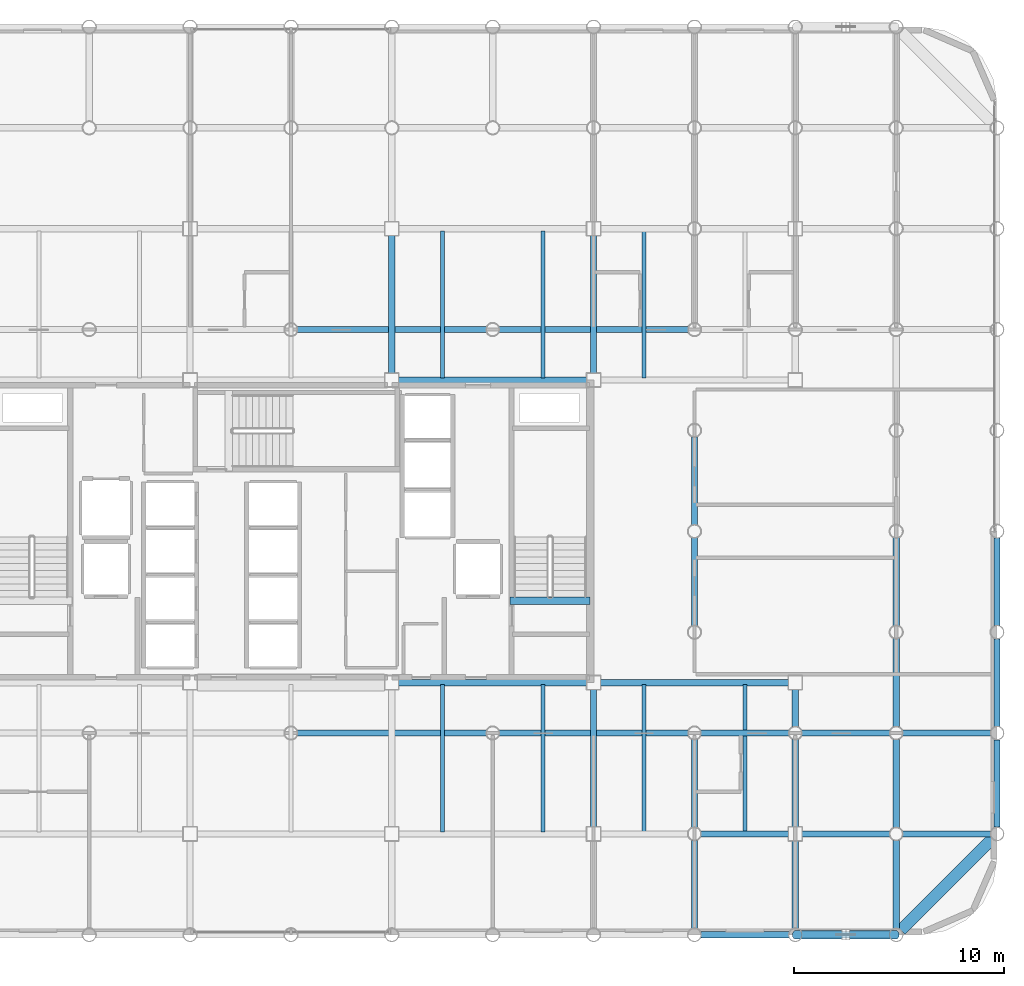
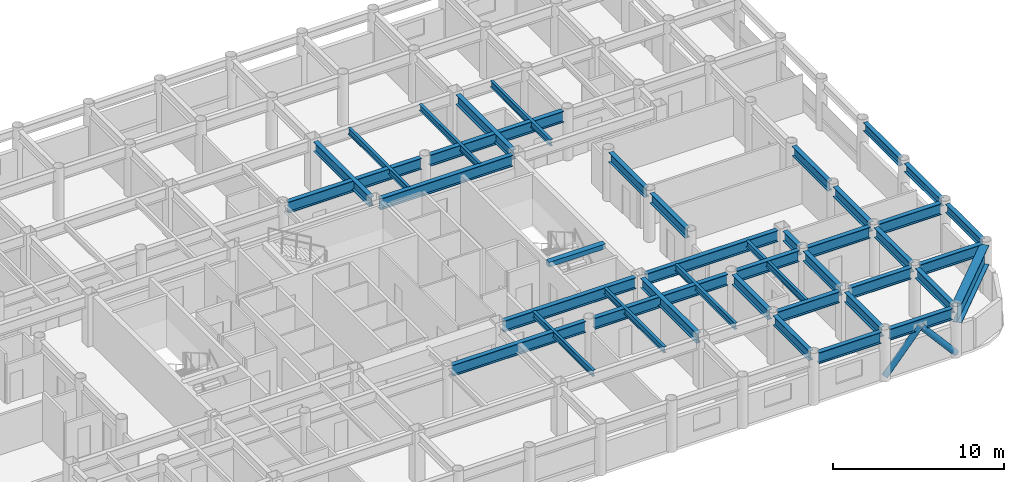
# One storey, part 7 of 20: 41 beams, 2 members.
"""IFC4 building model written with IfcOpenShell, lengths in metres."""

from ifc_helpers import new_model, si_unit, direction, frame, origin, origin_2d, place, context, subcontext, project, spatial, rectangle, hollow_circle, i_section, extrude, material, material_profile, profile_set, type_object, element, save


model = new_model("IFC4")

# Units and contexts
model_context = context("Model", 3, precision=1e-05, world=origin(), true_north=direction((0.0, 1.0)))
body_context = subcontext(model_context, "Body", "Model", "MODEL_VIEW")
ifc_project = project(units=[si_unit("LENGTHUNIT", "METRE"), si_unit("AREAUNIT", "SQUARE_METRE"), si_unit("VOLUMEUNIT", "CUBIC_METRE"), si_unit("PLANEANGLEUNIT", "RADIAN"), si_unit("MASSUNIT", "GRAM", prefix="KILO")], contexts=[model_context])

# Site, building, storey
site_placement = place(None, origin())
site = spatial("IfcSite", under=ifc_project, at=site_placement, CompositionType="ELEMENT")
building_placement = place(site_placement, origin())
building = spatial("IfcBuilding", under=site, at=building_placement, Name="Kallvorn Hotel Tower", CompositionType="ELEMENT")
storey_placement = place(building_placement, frame((0.0, 0.0, 98.89990234375)))
storey = spatial("IfcBuildingStorey", under=building, at=storey_placement, Name="L23", CompositionType="ELEMENT", Elevation=98.89990234375)

# Beams
ifc_material_1 = material(Name="Structural steel S355JR", Category="steel")
ifc_material_profile_1 = material_profile(ifc_material_1, i_section(OverallWidth=0.300048828125, OverallDepth=0.60009765625, WebThickness=0.015380859375, FlangeThickness=0.030029296875, at=origin_2d()), Name="HE 600 B")
ifc_profile_set_1 = profile_set([ifc_material_profile_1], Name="Structural steel S355JR")
beam_type_1 = type_object("IfcBeamType", Name="BM_HE600B", PredefinedType="SPANDREL", material=ifc_profile_set_1)
beam_1_placement = place(storey_placement, frame((33.60009765625, -14.080078125, 3.22021484375), z_axis=(0.0, 1.0, 0.0), x_axis=(-1.0, 0.0, 0.0)))
element("IfcBeam", 1, at=beam_1_placement, inside=storey, type_object=beam_type_1, Name="L24 Perimeter Spandrel 182", PredefinedType="SPANDREL", context=body_context, shape_type="SweptSolid", body=[
    extrude(i_section(OverallWidth=0.300048828125, OverallDepth=0.60009765625, WebThickness=0.015380859375, FlangeThickness=0.030029296875, at=origin_2d()), origin(), (0.0, 0.0, 1.0), 4.16015625),
])
for number, where, z_axis, x_axis, name in (
    (2, (33.60009765625, -9.280029296875, 3.22021484375), (0.0, 1.0, 0.0), (-1.0, 0.0, 0.0), "L24 Perimeter Spandrel 183"),
    (3, (33.60009765625, -4.47998046875, 3.22021484375), (0.0, 1.0, 0.0), (-1.0, 0.0, 0.0), "L24 Perimeter Spandrel 184"),
):
    element("IfcBeam", number, at=place(storey_placement, frame(where, z_axis=z_axis, x_axis=x_axis)), inside=storey, type_object=beam_type_1, Name=name, PredefinedType="SPANDREL", context=body_context, shape_type="SweptSolid", body=[
        extrude(i_section(OverallWidth=0.300048828125, OverallDepth=0.60009765625, WebThickness=0.015380859375, FlangeThickness=0.030029296875, at=origin_2d()), origin(), (0.0, 0.0, 1.0), 4.159912109375),
    ])
ifc_material_2 = material(Name="Structural steel S355JR", Category="steel")
ifc_material_profile_2 = material_profile(ifc_material_2, i_section(OverallWidth=0.300048828125, OverallDepth=0.699951171875, WebThickness=0.01708984375, FlangeThickness=0.031982421875, at=origin_2d()), Name="HE 700 B")
ifc_profile_set_2 = profile_set([ifc_material_profile_2], Name="Structural steel S355JR")
beam_type_2 = type_object("IfcBeamType", Name="BM_HE700B", PredefinedType="BEAM", material=ifc_profile_set_2)
for number, where, z_axis, x_axis, name in (
    (4, (4.800048828125, 7.52490234375, 3.170166015625), (0.0, 1.0, 0.0), (-1.0, 0.0, 0.0), "L24 Primary Y-Girder 115"),
    (5, (14.39990234375, -14.074951171875, 3.170166015625), (0.0, 1.0, 0.0), (-1.0, 0.0, 0.0), "L24 Primary Y-Girder 122"),
    (6, (14.39990234375, 7.52490234375, 3.170166015625), (0.0, 1.0, 0.0), (-1.0, 0.0, 0.0), "L24 Primary Y-Girder 123"),
):
    element("IfcBeam", number, at=place(storey_placement, frame(where, z_axis=z_axis, x_axis=x_axis)), inside=storey, type_object=beam_type_2, Name=name, PredefinedType="BEAM", context=body_context, shape_type="SweptSolid", body=[
        extrude(i_section(OverallWidth=0.300048828125, OverallDepth=0.699951171875, WebThickness=0.01708984375, FlangeThickness=0.031982421875, at=origin_2d()), origin(), (0.0, 0.0, 1.0), 6.550048828125),
    ])
for number, where, z_axis, x_axis, name in (
    (7, (19.199951171875, -18.89501953125, 3.170166015625), (0.0, 1.0, 0.0), (-1.0, 0.0, 0.0), "L24 Primary Y-Girder 126"),
    (8, (19.199951171875, -14.094970703125, 3.170166015625), (0.0, 1.0, 0.0), (-1.0, 0.0, 0.0), "L24 Primary Y-Girder 127"),
):
    element("IfcBeam", number, at=place(storey_placement, frame(where, z_axis=z_axis, x_axis=x_axis)), inside=storey, type_object=beam_type_2, Name=name, PredefinedType="BEAM", context=body_context, shape_type="SweptSolid", body=[
        extrude(i_section(OverallWidth=0.300048828125, OverallDepth=0.699951171875, WebThickness=0.01708984375, FlangeThickness=0.031982421875, at=origin_2d()), origin(), (0.0, 0.0, 1.0), 4.18994140625),
    ])
for number, where, z_axis, x_axis, name in (
    (9, (19.199951171875, -4.4951171875, 3.170166015625), (0.0, 1.0, 0.0), (-1.0, 0.0, 0.0), "L24 Primary Y-Girder 129"),
    (10, (19.199951171875, 0.304931640625, 3.170166015625), (0.0, 1.0, 0.0), (-1.0, 0.0, 0.0), "L24 Primary Y-Girder 130"),
):
    element("IfcBeam", number, at=place(storey_placement, frame(where, z_axis=z_axis, x_axis=x_axis)), inside=storey, type_object=beam_type_2, Name=name, PredefinedType="BEAM", context=body_context, shape_type="SweptSolid", body=[
        extrude(i_section(OverallWidth=0.300048828125, OverallDepth=0.699951171875, WebThickness=0.01708984375, FlangeThickness=0.031982421875, at=origin_2d()), origin(), (0.0, 0.0, 1.0), 4.190185546875),
    ])
for number, where, z_axis, x_axis, name in (
    (11, (24.0, -18.89501953125, 3.170166015625), (0.0, 1.0, 0.0), (-1.0, 0.0, 0.0), "L24 Primary Y-Girder 135"),
    (12, (24.0, -14.074951171875, 3.170166015625), (0.0, 1.0, 0.0), (-1.0, 0.0, 0.0), "L24 Primary Y-Girder 136"),
):
    element("IfcBeam", number, at=place(storey_placement, frame(where, z_axis=z_axis, x_axis=x_axis)), inside=storey, type_object=beam_type_2, Name=name, PredefinedType="BEAM", context=body_context, shape_type="SweptSolid", body=[
        extrude(i_section(OverallWidth=0.300048828125, OverallDepth=0.699951171875, WebThickness=0.01708984375, FlangeThickness=0.031982421875, at=origin_2d()), origin(), (0.0, 0.0, 1.0), 4.169921875),
    ])
beam_2_placement = place(storey_placement, frame((24.0, -9.294921875, 3.170166015625), z_axis=(0.0, 1.0, 0.0), x_axis=(-1.0, 0.0, 0.0)))
element("IfcBeam", 13, at=beam_2_placement, inside=storey, type_object=beam_type_2, Name="L24 Primary Y-Girder 137", PredefinedType="BEAM", context=body_context, shape_type="SweptSolid", body=[
    extrude(i_section(OverallWidth=0.300048828125, OverallDepth=0.699951171875, WebThickness=0.01708984375, FlangeThickness=0.031982421875, at=origin_2d()), origin(), (0.0, 0.0, 1.0), 1.77001953125),
])
for number, where, z_axis, x_axis, name in (
    (14, (28.800048828125, -18.89501953125, 3.170166015625), (0.0, 1.0, 0.0), (-1.0, 0.0, 0.0), "L24 Primary Y-Girder 142"),
    (15, (28.800048828125, -14.094970703125, 3.170166015625), (0.0, 1.0, 0.0), (-1.0, 0.0, 0.0), "L24 Primary Y-Girder 143"),
    (16, (28.800048828125, -9.294921875, 3.170166015625), (0.0, 1.0, 0.0), (-1.0, 0.0, 0.0), "L24 Primary Y-Girder 144"),
):
    element("IfcBeam", number, at=place(storey_placement, frame(where, z_axis=z_axis, x_axis=x_axis)), inside=storey, type_object=beam_type_2, Name=name, PredefinedType="BEAM", context=body_context, shape_type="SweptSolid", body=[
        extrude(i_section(OverallWidth=0.300048828125, OverallDepth=0.699951171875, WebThickness=0.01708984375, FlangeThickness=0.031982421875, at=origin_2d()), origin(), (0.0, 0.0, 1.0), 4.18994140625),
    ])
beam_3_placement = place(storey_placement, frame((28.800048828125, -4.4951171875, 3.170166015625), z_axis=(0.0, 1.0, 0.0), x_axis=(-1.0, 0.0, 0.0)))
element("IfcBeam", 17, at=beam_3_placement, inside=storey, type_object=beam_type_2, Name="L24 Primary Y-Girder 145", PredefinedType="BEAM", context=body_context, shape_type="SweptSolid", body=[
    extrude(i_section(OverallWidth=0.300048828125, OverallDepth=0.699951171875, WebThickness=0.01708984375, FlangeThickness=0.031982421875, at=origin_2d()), origin(), (0.0, 0.0, 1.0), 4.190185546875),
])
ifc_material_3 = material(Name="Structural steel S355JR", Category="steel")
ifc_material_profile_3 = material_profile(ifc_material_3, i_section(OverallWidth=0.300048828125, OverallDepth=0.800048828125, WebThickness=0.017578125, FlangeThickness=0.032958984375, at=origin_2d()), Name="HE 800 B")
ifc_profile_set_3 = profile_set([ifc_material_profile_3], Name="Structural steel S355JR")
beam_type_3 = type_object("IfcBeamType", Name="BM_HE800B", PredefinedType="BEAM", material=ifc_profile_set_3)
for number, where, z_axis, x_axis, name in (
    (18, (19.5048828125, -19.199951171875, 3.1201171875), (1.0, 0.0, 0.0), (0.0, 1.0, 0.0), "L24 Primary X-Girder 11"),
    (19, (24.304931640625, -19.199951171875, 3.1201171875), (1.0, 0.0, 0.0), (0.0, 1.0, 0.0), "L24 Primary X-Girder 12"),
):
    element("IfcBeam", number, at=place(storey_placement, frame(where, z_axis=z_axis, x_axis=x_axis)), inside=storey, type_object=beam_type_3, Name=name, PredefinedType="BEAM", context=body_context, shape_type="SweptSolid", body=[
        extrude(i_section(OverallWidth=0.300048828125, OverallDepth=0.800048828125, WebThickness=0.017578125, FlangeThickness=0.032958984375, at=origin_2d()), origin(), (0.0, 0.0, 1.0), 4.190185546875),
    ])
for number, where, z_axis, x_axis, name in (
    (20, (19.5048828125, -14.39990234375, 3.1201171875), (1.0, 0.0, 0.0), (0.0, 1.0, 0.0), "L24 Primary X-Girder 20"),
    (21, (24.324951171875, -14.39990234375, 3.1201171875), (1.0, 0.0, 0.0), (0.0, 1.0, 0.0), "L24 Primary X-Girder 21"),
):
    element("IfcBeam", number, at=place(storey_placement, frame(where, z_axis=z_axis, x_axis=x_axis)), inside=storey, type_object=beam_type_3, Name=name, PredefinedType="BEAM", context=body_context, shape_type="SweptSolid", body=[
        extrude(i_section(OverallWidth=0.300048828125, OverallDepth=0.800048828125, WebThickness=0.017578125, FlangeThickness=0.032958984375, at=origin_2d()), origin(), (0.0, 0.0, 1.0), 4.170166015625),
    ])
beam_4_placement = place(storey_placement, frame((29.10498046875, -14.39990234375, 3.1201171875), z_axis=(1.0, 0.0, 0.0), x_axis=(0.0, 1.0, 0.0)))
element("IfcBeam", 22, at=beam_4_placement, inside=storey, type_object=beam_type_3, Name="L24 Primary X-Girder 22", PredefinedType="BEAM", context=body_context, shape_type="SweptSolid", body=[
    extrude(i_section(OverallWidth=0.300048828125, OverallDepth=0.800048828125, WebThickness=0.017578125, FlangeThickness=0.032958984375, at=origin_2d()), origin(), (0.0, 0.0, 1.0), 4.18994140625),
])
for number, where, z_axis, x_axis, name in (
    (23, (0.304931640625, -9.60009765625, 3.1201171875), (1.0, 0.0, 0.0), (0.0, 1.0, 0.0), "L24 Primary X-Girder 27"),
    (24, (9.905029296875, -9.60009765625, 3.1201171875), (1.0, 0.0, 0.0), (0.0, 1.0, 0.0), "L24 Primary X-Girder 28"),
):
    element("IfcBeam", number, at=place(storey_placement, frame(where, z_axis=z_axis, x_axis=x_axis)), inside=storey, type_object=beam_type_3, Name=name, PredefinedType="BEAM", context=body_context, shape_type="SweptSolid", body=[
        extrude(i_section(OverallWidth=0.300048828125, OverallDepth=0.800048828125, WebThickness=0.017578125, FlangeThickness=0.032958984375, at=origin_2d()), origin(), (0.0, 0.0, 1.0), 8.989990234375),
    ])
for number, where, z_axis, x_axis, name in (
    (25, (19.5048828125, -9.60009765625, 3.1201171875), (1.0, 0.0, 0.0), (0.0, 1.0, 0.0), "L24 Primary X-Girder 29"),
    (26, (24.304931640625, -9.60009765625, 3.1201171875), (1.0, 0.0, 0.0), (0.0, 1.0, 0.0), "L24 Primary X-Girder 30"),
):
    element("IfcBeam", number, at=place(storey_placement, frame(where, z_axis=z_axis, x_axis=x_axis)), inside=storey, type_object=beam_type_3, Name=name, PredefinedType="BEAM", context=body_context, shape_type="SweptSolid", body=[
        extrude(i_section(OverallWidth=0.300048828125, OverallDepth=0.800048828125, WebThickness=0.017578125, FlangeThickness=0.032958984375, at=origin_2d()), origin(), (0.0, 0.0, 1.0), 4.190185546875),
    ])
beam_5_placement = place(storey_placement, frame((29.10498046875, -9.60009765625, 3.1201171875), z_axis=(1.0, 0.0, 0.0), x_axis=(0.0, 1.0, 0.0)))
element("IfcBeam", 27, at=beam_5_placement, inside=storey, type_object=beam_type_3, Name="L24 Primary X-Girder 31", PredefinedType="BEAM", context=body_context, shape_type="SweptSolid", body=[
    extrude(i_section(OverallWidth=0.300048828125, OverallDepth=0.800048828125, WebThickness=0.017578125, FlangeThickness=0.032958984375, at=origin_2d()), origin(), (0.0, 0.0, 1.0), 4.18994140625),
])
for number, where, z_axis, x_axis, name in (
    (28, (5.125, -7.199951171875, 3.1201171875), (1.0, 0.0, 0.0), (0.0, 1.0, 0.0), "L24 Primary X-Girder 34"),
    (29, (14.72509765625, -7.199951171875, 3.1201171875), (1.0, 0.0, 0.0), (0.0, 1.0, 0.0), "L24 Primary X-Girder 35"),
    (30, (5.125, 7.199951171875, 3.1201171875), (1.0, 0.0, 0.0), (0.0, 1.0, 0.0), "L24 Primary X-Girder 39"),
):
    element("IfcBeam", number, at=place(storey_placement, frame(where, z_axis=z_axis, x_axis=x_axis)), inside=storey, type_object=beam_type_3, Name=name, PredefinedType="BEAM", context=body_context, shape_type="SweptSolid", body=[
        extrude(i_section(OverallWidth=0.300048828125, OverallDepth=0.800048828125, WebThickness=0.017578125, FlangeThickness=0.032958984375, at=origin_2d()), origin(), (0.0, 0.0, 1.0), 8.949951171875),
    ])
for number, where, z_axis, x_axis, name in (
    (31, (0.304931640625, 9.60009765625, 3.1201171875), (1.0, 0.0, 0.0), (0.0, 1.0, 0.0), "L24 Primary X-Girder 45"),
    (32, (9.905029296875, 9.60009765625, 3.1201171875), (1.0, 0.0, 0.0), (0.0, 1.0, 0.0), "L24 Primary X-Girder 46"),
):
    element("IfcBeam", number, at=place(storey_placement, frame(where, z_axis=z_axis, x_axis=x_axis)), inside=storey, type_object=beam_type_3, Name=name, PredefinedType="BEAM", context=body_context, shape_type="SweptSolid", body=[
        extrude(i_section(OverallWidth=0.300048828125, OverallDepth=0.800048828125, WebThickness=0.017578125, FlangeThickness=0.032958984375, at=origin_2d()), origin(), (0.0, 0.0, 1.0), 8.989990234375),
    ])
ifc_material_4 = material(Name="Structural steel S355JR", Category="steel")
ifc_material_profile_4 = material_profile(ifc_material_4, i_section(OverallWidth=0.18994140625, OverallDepth=0.449951171875, WebThickness=0.009521484375, FlangeThickness=0.0146484375, at=origin_2d()), Name="IPE 450")
ifc_profile_set_4 = profile_set([ifc_material_profile_4], Name="Structural steel S355JR")
beam_type_4 = type_object("IfcBeamType", Name="BM_IPE450", PredefinedType="JOIST", material=ifc_profile_set_4)
for number, where, z_axis, x_axis, name in (
    (33, (7.199951171875, -14.300048828125, 3.295166015625), (0.0, 1.0, 0.0), (-1.0, 0.0, 0.0), "L24 Secondary Composite Joist 202"),
    (34, (7.199951171875, 7.300048828125, 3.295166015625), (0.0, 1.0, 0.0), (-1.0, 0.0, 0.0), "L24 Secondary Composite Joist 203"),
    (35, (12.0, -14.300048828125, 3.295166015625), (0.0, 1.0, 0.0), (-1.0, 0.0, 0.0), "L24 Secondary Composite Joist 204"),
    (36, (12.0, 7.300048828125, 3.295166015625), (0.0, 1.0, 0.0), (-1.0, 0.0, 0.0), "L24 Secondary Composite Joist 205"),
    (37, (16.800048828125, -14.300048828125, 3.295166015625), (0.0, 1.0, 0.0), (-1.0, 0.0, 0.0), "L24 Secondary Composite Joist 206"),
    (38, (16.800048828125, 7.300048828125, 3.295166015625), (0.0, 1.0, 0.0), (-1.0, 0.0, 0.0), "L24 Secondary Composite Joist 207"),
    (39, (21.60009765625, -14.300048828125, 3.295166015625), (0.0, 1.0, 0.0), (-1.0, 0.0, 0.0), "L24 Secondary Composite Joist 208"),
):
    element("IfcBeam", number, at=place(storey_placement, frame(where, z_axis=z_axis, x_axis=x_axis)), inside=storey, type_object=beam_type_4, Name=name, PredefinedType="JOIST", context=body_context, shape_type="SweptSolid", body=[
        extrude(i_section(OverallWidth=0.18994140625, OverallDepth=0.449951171875, WebThickness=0.009521484375, FlangeThickness=0.0146484375, at=origin_2d()), origin(), (0.0, 0.0, 1.0), 7.0),
    ])
ifc_material_5 = material(Name="Structural steel S355JR", Category="steel")
ifc_material_profile_5 = material_profile(ifc_material_5, i_section(OverallWidth=0.550048828125, OverallDepth=1.39990234375, WebThickness=0.02490234375, FlangeThickness=0.044921875, at=origin_2d()), Name="PG 1400x550x25x45")
ifc_profile_set_5 = profile_set([ifc_material_profile_5], Name="Structural steel S355JR")
beam_type_5 = type_object("IfcBeamType", Name="BM_PG_1400", PredefinedType="BEAM", material=ifc_profile_set_5)
beam_6_placement = place(storey_placement, frame((33.373779296875, -14.626220703125, 2.820068359375), z_axis=(-0.707106781187, -0.707106781187, 0.0), x_axis=(0.707106781187, -0.707106781187, 0.0)))
element("IfcBeam", 40, at=beam_6_placement, inside=storey, type_object=beam_type_5, Name="L24 Rounded Corner Tie Beam 190", PredefinedType="BEAM", context=body_context, shape_type="SweptSolid", body=[
    extrude(i_section(OverallWidth=0.550048828125, OverallDepth=1.39990234375, WebThickness=0.02490234375, FlangeThickness=0.044921875, at=origin_2d()), origin(), (0.0, 0.0, 1.0), 6.148193359375),
])
ifc_material_6 = material(Name="Concrete C50/60", Category="concrete")
ifc_material_profile_6 = material_profile(ifc_material_6, rectangle(XDim=0.360107421875, YDim=0.340087890625, at=origin_2d()), Name="RC 360x340")
ifc_profile_set_6 = profile_set([ifc_material_profile_6], Name="Concrete C50/60")
beam_type_6 = type_object("IfcBeamType", Name="BM_RC_400x360", PredefinedType="BEAM", material=ifc_profile_set_6)
beam_7_placement = place(storey_placement, frame((14.239990234375, -3.31005859375, 3.35009765625), z_axis=(-1.0, 0.0, 0.0), x_axis=(0.0, -1.0, 0.0)))
element("IfcBeam", 41, at=beam_7_placement, inside=storey, type_object=beam_type_6, Name="L24 Stair ST2 Arrival Trimmer Beam", PredefinedType="BEAM", context=body_context, shape_type="SweptSolid", body=[
    extrude(rectangle(XDim=0.360107421875, YDim=0.340087890625, at=origin_2d()), origin(), (0.0, 0.0, 1.0), 3.820068359375),
])

# Members
ifc_material_7 = material(Name="Structural steel S355J2H", Category="steel")
ifc_material_profile_7 = material_profile(ifc_material_7, hollow_circle(Radius=0.203125, WallThickness=0.01611328125, at=origin_2d()), Name="CHS 406.4x16")
ifc_profile_set_7 = profile_set([ifc_material_profile_7], Name="Structural steel S355J2H")
member_type = type_object("IfcMemberType", Name="MBR_EXO_CHS406", PredefinedType="BRACE", material=ifc_profile_set_7)
for number, where, z_axis, x_axis, name in (
    (42, (24.01318359375, -19.199951171875, 0.1953125), (0.65346062529, 0.0, 0.756960508346), (0.0, 1.0, 0.0), "L23 Exoskeleton K-Brace S2A"),
    (43, (28.786865234375, -19.199951171875, 0.1953125), (-0.65346062529, 0.0, 0.756960508346), (0.0, -1.0, 0.0), "L23 Exoskeleton K-Brace S2B"),
):
    element("IfcMember", number, at=place(storey_placement, frame(where, z_axis=z_axis, x_axis=x_axis)), inside=storey, type_object=member_type, Name=name, PredefinedType="BRACE", context=body_context, shape_type="SweptSolid", body=[
        extrude(hollow_circle(Radius=0.203125, WallThickness=0.01611328125, at=origin_2d()), origin(), (0.0, 0.0, 1.0), 3.632568359375),
    ])

save(model, "model.ifc")
